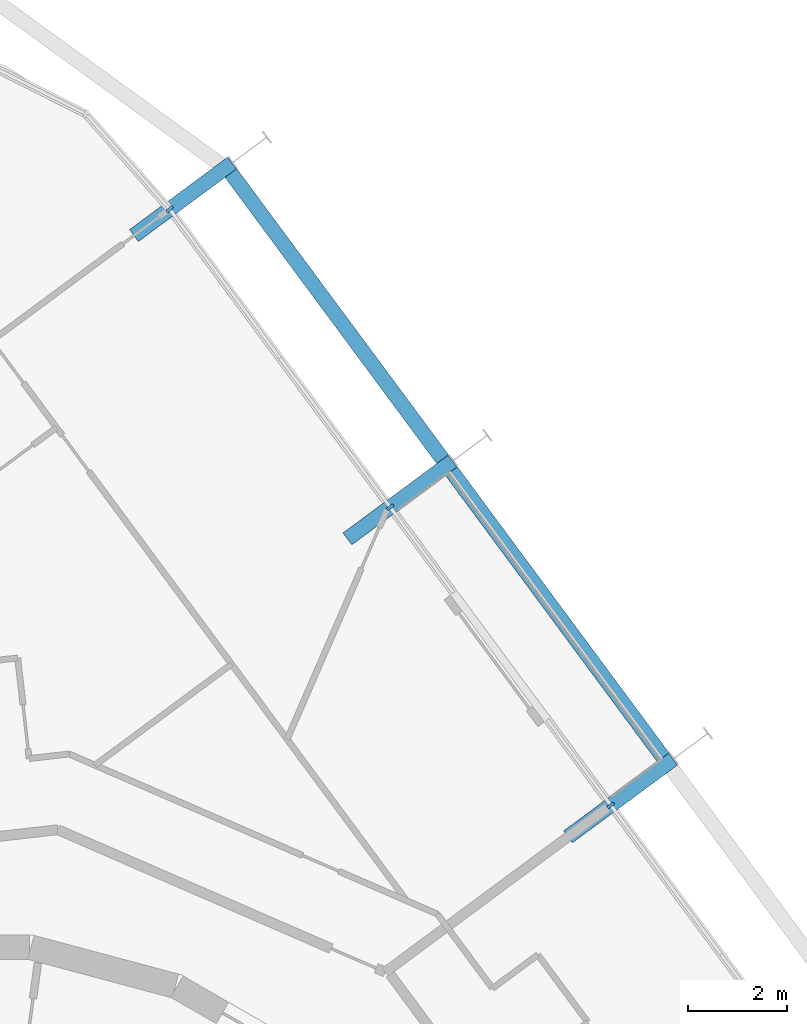
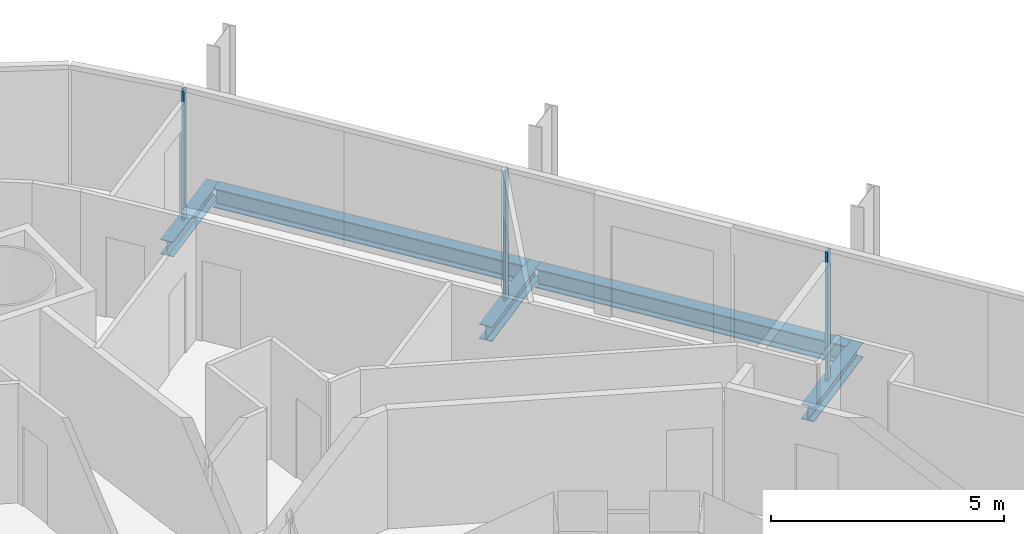
# One storey, part 11 of 21: 5 beams, 3 members, 2 elements without a shape of their own.
"""IFC4 building model written with IfcOpenShell, lengths in metres."""

from ifc_helpers import new_model, si_unit, direction, frame, origin, origin_2d, place, context, subcontext, project, spatial, rectangle, i_section, extrude, material, layer, layer_set, material_profile, profile_set, type_object, element, aggregate, save


model = new_model("IFC4")

# Units and contexts
model_context = context("Model", 3, precision=1e-05, world=origin(), true_north=direction((0.0, 1.0)))
body_context = subcontext(model_context, "Body", "Model", "MODEL_VIEW")
ifc_project = project(units=[si_unit("LENGTHUNIT", "METRE"), si_unit("AREAUNIT", "SQUARE_METRE"), si_unit("VOLUMEUNIT", "CUBIC_METRE"), si_unit("PLANEANGLEUNIT", "RADIAN"), si_unit("MASSUNIT", "GRAM", prefix="KILO")], contexts=[model_context])

# Site, building, storey
site_placement = place(None, origin())
site = spatial("IfcSite", under=ifc_project, at=site_placement, CompositionType="ELEMENT")
building_placement = place(site_placement, origin())
building = spatial("IfcBuilding", under=site, at=building_placement, Name="Spindle Arch Residences", CompositionType="ELEMENT")
storey_placement = place(building_placement, frame((0.0, 0.0, 97.699951171875)))
storey = spatial("IfcBuildingStorey", under=building, at=storey_placement, Name="L23", CompositionType="ELEMENT", Elevation=97.699951171875)

# Curtain wall, members
ifc_material_1 = material(Name="Aluminium bronze unitised frame with tinted glass", Category="aluminium")
ifc_layer_1 = layer(ifc_material_1, 0.159912109375)
ifc_layer_set_1 = layer_set([ifc_layer_1], Name="CW-C typical residential unitised wall")
curtain_wall_type_1 = type_object("IfcCurtainWallType", Name="CW-C typical residential unitised wall", PredefinedType="NOTDEFINED", material=ifc_layer_set_1)
curtain_wall_1_placement = place(storey_placement, origin())
curtain_wall_1 = element("IfcCurtainWall", 1, at=curtain_wall_1_placement, inside=storey, type_object=curtain_wall_type_1, Name="CW-C L23 run 2", PredefinedType="NOTDEFINED")
ifc_material_2 = material(Name="Aluminium bronze anodised mullion", Category="aluminium")
ifc_material_profile_1 = material_profile(ifc_material_2, rectangle(XDim=0.159912109375, YDim=0.06005859375, at=origin_2d()), Name="MU 60x160")
ifc_profile_set_1 = profile_set([ifc_material_profile_1], Name="Aluminium bronze anodised mullion")
member_type = type_object("IfcMemberType", Name="Bronze mullion 60x160", PredefinedType="MULLION", material=ifc_profile_set_1)
member_1_placement = place(storey_placement, frame((13.308349609375, 14.5244140625, -0.3798828125), z_axis=(0.0, 0.0, 1.0), x_axis=(-0.803856860617, -0.594822786751, 0.0)))
member_1 = element("IfcMember", 2, at=member_1_placement, type_object=member_type, Name="CW-C mullion 08", PredefinedType="MULLION", context=body_context, shape_type="SweptSolid", body=[
    extrude(rectangle(XDim=0.159912109375, YDim=0.06005859375, at=origin_2d()), origin(), (0.0, 0.0, 1.0), 3.3798828125),
])
member_2_placement = place(storey_placement, frame((8.8359375, 20.568603515625, -0.3798828125), z_axis=(0.0, 0.0, 1.0), x_axis=(-0.803856860617, -0.594822786751, 0.0)))
member_2 = element("IfcMember", 3, at=member_2_placement, type_object=member_type, Name="CW-C mullion 09", PredefinedType="MULLION", context=body_context, shape_type="SweptSolid", body=[
    extrude(rectangle(XDim=0.159912109375, YDim=0.06005859375, at=origin_2d()), origin(), (0.0, 0.0, 1.0), 3.3798828125),
])
aggregate(curtain_wall_1, [member_1, member_2])

# Curtain wall, member
ifc_material_3 = material(Name="Aluminium bronze unitised frame with tinted glass", Category="aluminium")
ifc_layer_2 = layer(ifc_material_3, 0.159912109375)
ifc_layer_set_2 = layer_set([ifc_layer_2], Name="CW-D corner wall on the fillet arcs")
curtain_wall_type_2 = type_object("IfcCurtainWallType", Name="CW-D corner wall on the fillet arcs", PredefinedType="NOTDEFINED", material=ifc_layer_set_2)
curtain_wall_2_placement = place(storey_placement, origin())
curtain_wall_2 = element("IfcCurtainWall", 4, at=curtain_wall_2_placement, inside=storey, type_object=curtain_wall_type_2, Name="CW-D L23 run 3", PredefinedType="NOTDEFINED")
member_3_placement = place(storey_placement, frame((4.36376953125, 26.612548828125, -0.3798828125), z_axis=(0.0, 0.0, 1.0), x_axis=(-0.750646632877, -0.660703891733, 0.0)))
member_3 = element("IfcMember", 5, at=member_3_placement, type_object=member_type, Name="CW-D mullion 00", PredefinedType="MULLION", context=body_context, shape_type="SweptSolid", body=[
    extrude(rectangle(XDim=0.159912109375, YDim=0.06005859375, at=origin_2d()), origin(), (0.0, 0.0, 1.0), 3.3798828125),
])
aggregate(curtain_wall_2, [member_3])

# Beams
ifc_material_4 = material(Name="Steel S460ML, intumescent coating R 120", Category="steel")
ifc_material_profile_2 = material_profile(ifc_material_4, i_section(OverallWidth=0.300048828125, OverallDepth=0.5, WebThickness=0.014404296875, FlangeThickness=0.028076171875, FilletRadius=0.027099609375, at=origin_2d()), Name="HEB 500")
ifc_profile_set_2 = profile_set([ifc_material_profile_2], Name="Steel S460ML, intumescent coating R 120")
beam_type_1 = type_object("IfcBeamType", Name="Exoskeleton edge beam HEB 500", PredefinedType="BEAM", material=ifc_profile_set_2)
beam_1_placement = place(storey_placement, frame((14.383056640625, 15.481201171875, -0.6298828125), z_axis=(-0.594826923516, 0.803853799556, 0.0), x_axis=(-0.803853799556, -0.594826923516, 0.0)))
element("IfcBeam", 6, at=beam_1_placement, inside=storey, type_object=beam_type_1, Name="Exoskeleton edge beam 9", PredefinedType="BEAM", context=body_context, shape_type="SweptSolid", body=[
    extrude(i_section(OverallWidth=0.300048828125, OverallDepth=0.5, WebThickness=0.014404296875, FlangeThickness=0.028076171875, FilletRadius=0.027099609375, at=origin_2d()), origin(), (0.0, 0.0, 1.0), 7.259033203125),
])
beam_2_placement = place(storey_placement, frame((9.91064453125, 21.525390625, -0.6298828125), z_axis=(-0.594821272041, 0.803857981441, 0.0), x_axis=(-0.803857981441, -0.594821272041, 0.0)))
element("IfcBeam", 7, at=beam_2_placement, inside=storey, type_object=beam_type_1, Name="Exoskeleton edge beam 10", PredefinedType="BEAM", context=body_context, shape_type="SweptSolid", body=[
    extrude(i_section(OverallWidth=0.300048828125, OverallDepth=0.5, WebThickness=0.014404296875, FlangeThickness=0.028076171875, FilletRadius=0.027099609375, at=origin_2d()), origin(), (0.0, 0.0, 1.0), 7.2587890625),
])
ifc_material_5 = material(Name="Steel S460ML, intumescent coating R 120", Category="steel")
ifc_material_profile_3 = material_profile(ifc_material_5, i_section(OverallWidth=0.300048828125, OverallDepth=0.389892578125, WebThickness=0.010986328125, FlangeThickness=0.01904296875, FilletRadius=0.027099609375, at=origin_2d()), Name="HEA 400")
ifc_profile_set_3 = profile_set([ifc_material_profile_3], Name="Steel S460ML, intumescent coating R 120")
beam_type_2 = type_object("IfcBeamType", Name="Floor outrigger HEA 400", PredefinedType="BEAM", material=ifc_profile_set_3)
for number, where, z_axis, x_axis, name in (
    (8, (14.570556640625, 15.458251953125, -0.574951171875), (-0.803896519326, -0.594769187345, 0.0), (0.594769187345, -0.803896519326, 0.0), "Floor outrigger 9"),
    (9, (10.09814453125, 21.502197265625, -0.574951171875), (-0.803896519326, -0.594769187345, 0.0), (0.594769187345, -0.803896519326, 0.0), "Floor outrigger 10"),
):
    element("IfcBeam", number, at=place(storey_placement, frame(where, z_axis=z_axis, x_axis=x_axis)), inside=storey, type_object=beam_type_2, Name=name, PredefinedType="BEAM", context=body_context, shape_type="SweptSolid", body=[
        extrude(i_section(OverallWidth=0.300048828125, OverallDepth=0.389892578125, WebThickness=0.010986328125, FlangeThickness=0.01904296875, FilletRadius=0.027099609375, at=origin_2d()), origin(), (0.0, 0.0, 1.0), 2.650146484375),
    ])
beam_3_placement = place(storey_placement, frame((5.625732421875, 27.54638671875, -0.574951171875), z_axis=(-0.80387213449, -0.594802144743, 0.0), x_axis=(0.594802144743, -0.80387213449, 0.0)))
element("IfcBeam", 10, at=beam_3_placement, inside=storey, type_object=beam_type_2, Name="Floor outrigger 11", PredefinedType="BEAM", context=body_context, shape_type="SweptSolid", body=[
    extrude(i_section(OverallWidth=0.300048828125, OverallDepth=0.389892578125, WebThickness=0.010986328125, FlangeThickness=0.01904296875, FilletRadius=0.027099609375, at=origin_2d()), origin(), (0.0, 0.0, 1.0), 2.470947265625),
])

save(model, "model.ifc")
